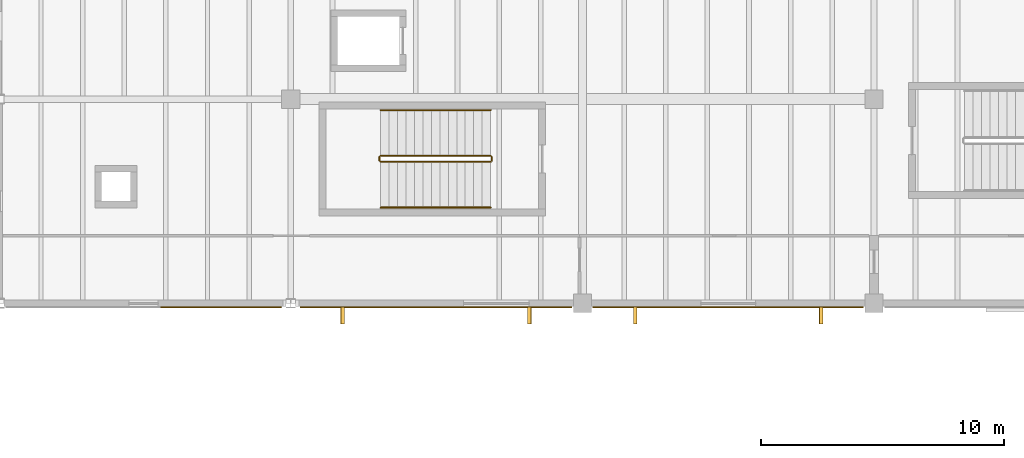
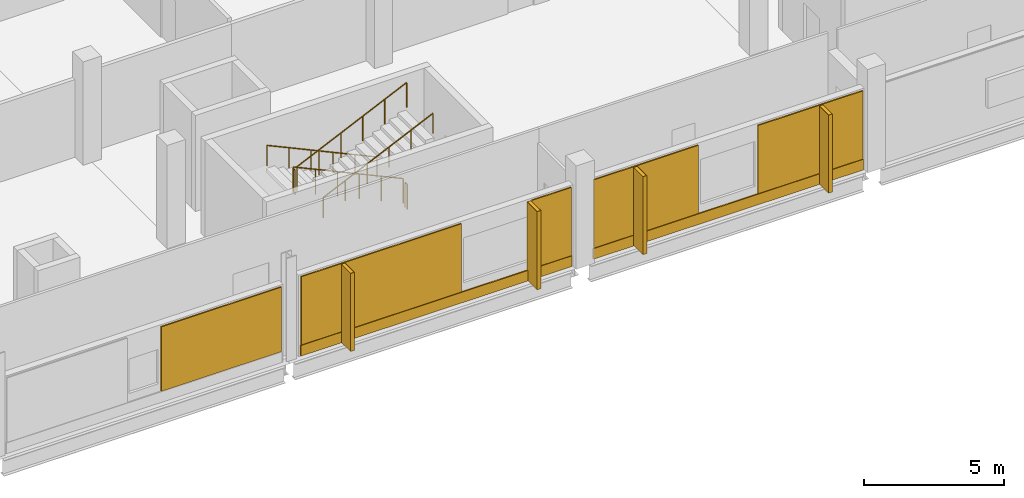
# One storey, part 74 of 78: 11 coverings, 6 railings, 4 shading devices.
"""IFC4 building model written with IfcOpenShell, lengths in metres."""

from ifc_helpers import new_model, si_unit, direction, frame, origin, origin_2d, place, context, subcontext, project, spatial, rectangle, circle, extrude, material, layer, layer_set, type_object, element, save


model = new_model("IFC4")

# Units and contexts
model_context = context("Model", 3, precision=1e-05, world=origin(), true_north=direction((0.0, 1.0)))
body_context = subcontext(model_context, "Body", "Model", "MODEL_VIEW")
ifc_project = project(units=[si_unit("LENGTHUNIT", "METRE"), si_unit("AREAUNIT", "SQUARE_METRE"), si_unit("VOLUMEUNIT", "CUBIC_METRE"), si_unit("PLANEANGLEUNIT", "RADIAN"), si_unit("MASSUNIT", "GRAM", prefix="KILO")], contexts=[model_context])

# Site, building, storey
site_placement = place(None, origin())
site = spatial("IfcSite", under=ifc_project, at=site_placement, CompositionType="ELEMENT")
building_placement = place(site_placement, origin())
building = spatial("IfcBuilding", under=site, at=building_placement, Name="Kelmvaro Bay Concert Hall", CompositionType="ELEMENT")
storey_placement = place(building_placement, frame((0.0, 0.0, 9.300048828125)))
storey = spatial("IfcBuildingStorey", under=building, at=storey_placement, Name="L02", CompositionType="ELEMENT", Elevation=9.300048828125)

# Shading devices
ifc_material_1 = material(Name="Anodised Extruded Aluminium 6063-T6", Category="aluminium")
ifc_layer_1 = layer(ifc_material_1, 3.39990234375)
ifc_layer_set_1 = layer_set([ifc_layer_1], Name="Anodised Extruded Aluminium 6063-T6")
shading_device_type = type_object("IfcShadingDeviceType", Name="Bauhaus Vertical Solar Brise-Soleil Fin 720x3400", PredefinedType="SHUTTER", material=ifc_layer_set_1)
for number, where, z_axis, x_axis, name in (
    (1, (141.81689453125, 15.10400390625, 0.06005859375), (0.0, 0.0, 1.0), (-1.0, 0.0, 0.0), "L02 Solar Brise-Soleil Fin 150"),
    (2, (134.133056640625, 15.10400390625, 0.06005859375), (0.0, 0.0, 1.0), (-1.0, 0.0, 0.0), "L02 Solar Brise-Soleil Fin 151"),
    (3, (153.824951171875, 15.10400390625, 0.06005859375), (0.0, 0.0, 1.0), (-1.0, 0.0, 0.0), "L02 Solar Brise-Soleil Fin 152"),
    (4, (146.175048828125, 15.10400390625, 0.06005859375), (0.0, 0.0, 1.0), (-1.0, 0.0, 0.0), "L02 Solar Brise-Soleil Fin 153"),
):
    element("IfcShadingDevice", number, at=place(storey_placement, frame(where, z_axis=z_axis, x_axis=x_axis)), inside=storey, type_object=shading_device_type, Name=name, PredefinedType="SHUTTER", context=body_context, shape_type="SweptSolid", body=[
        extrude(rectangle(XDim=0.159912109375, YDim=0.719970703125, at=origin_2d()), origin(), (0.0, 0.0, 1.0), 3.39990234375),
    ])

# Coverings
ifc_material_2 = material(Name="PVDF-Coated Architectural Aluminium", Category="aluminium")
ifc_layer_2 = layer(ifc_material_2, 0.0400390625)
ifc_layer_set_2 = layer_set([ifc_layer_2], Name="PVDF-Coated Architectural Aluminium")
covering_type_1 = type_object("IfcCoveringType", Name="De Stijl Enamelled Aluminium Fascia Panel 40", PredefinedType="CLADDING", material=ifc_layer_set_2)
for number, where, z_axis, x_axis, name in (
    (5, (141.81689453125, 15.10400390625, 0.06005859375), (0.0, 0.0, 1.0), (-1.0, 0.0, 0.0), "L02 Architectural Vertical Fin Cladding 0754"),
    (6, (134.133056640625, 15.10400390625, 0.06005859375), (0.0, 0.0, 1.0), (-1.0, 0.0, 0.0), "L02 Architectural Vertical Fin Cladding 0755"),
    (7, (153.824951171875, 15.10400390625, 0.06005859375), (0.0, 0.0, 1.0), (-1.0, 0.0, 0.0), "L02 Architectural Vertical Fin Cladding 0759"),
    (8, (146.175048828125, 15.10400390625, 0.06005859375), (0.0, 0.0, 1.0), (-1.0, 0.0, 0.0), "L02 Architectural Vertical Fin Cladding 0760"),
):
    element("IfcCovering", number, at=place(storey_placement, frame(where, z_axis=z_axis, x_axis=x_axis)), inside=storey, type_object=covering_type_1, Name=name, PredefinedType="CLADDING", context=body_context, shape_type="SweptSolid", body=[
        extrude(rectangle(XDim=0.139892578125, YDim=0.699951171875, at=origin_2d()), origin(), (0.0, 0.0, 1.0), 3.39990234375),
    ])
ifc_material_3 = material(Name="Honed Florida Limestone Travertine", Category="masonry")
ifc_layer_3 = layer(ifc_material_3, 0.054931640625)
ifc_layer_set_3 = layer_set([ifc_layer_3], Name="Honed Florida Limestone Travertine")
covering_type_2 = type_object("IfcCoveringType", Name="Honed Florida Travertine Rainscreen Cladding 55", PredefinedType="CLADDING", material=ifc_layer_set_3)
covering_1_placement = place(storey_placement, frame((129.116455078125, 15.4345703125, 0.52001953125), z_axis=(0.0, 0.0, 1.0), x_axis=(-1.0, 0.0, 0.0)))
element("IfcCovering", 9, at=covering_1_placement, inside=storey, type_object=covering_type_2, Name="L02 Travertine Pier Panel 0751", PredefinedType="CLADDING", context=body_context, shape_type="SweptSolid", body=[
    extrude(rectangle(XDim=4.95703125, YDim=0.054931640625, at=origin_2d()), origin(), (0.0, 0.0, 1.0), 2.80810546875),
])
covering_2_placement = place(storey_placement, frame((137.97509765625, 15.4345703125, 0.0400390625), z_axis=(0.0, 0.0, 1.0), x_axis=(-1.0, 0.0, 0.0)))
element("IfcCovering", 10, at=covering_2_placement, inside=storey, type_object=covering_type_2, Name="L02 Travertine Sill Band 0753", PredefinedType="CLADDING", context=body_context, shape_type="SweptSolid", body=[
    extrude(rectangle(XDim=11.179931640625, YDim=0.054931640625, at=origin_2d()), origin(), (0.0, 0.0, 1.0), 0.4599609375),
])
covering_3_placement = place(storey_placement, frame((142.72802734375, 15.4345703125, 0.52001953125), z_axis=(0.0, 0.0, 1.0), x_axis=(-1.0, 0.0, 0.0)))
element("IfcCovering", 11, at=covering_3_placement, inside=storey, type_object=covering_type_2, Name="L02 Travertine Pier Panel 0756", PredefinedType="CLADDING", context=body_context, shape_type="SweptSolid", body=[
    extrude(rectangle(XDim=1.634033203125, YDim=0.054931640625, at=origin_2d()), origin(), (0.0, 0.0, 1.0), 2.968994140625),
])
covering_4_placement = place(storey_placement, frame((135.7080078125, 15.4345703125, 0.52001953125), z_axis=(0.0, 0.0, 1.0), x_axis=(-1.0, 0.0, 0.0)))
element("IfcCovering", 12, at=covering_4_placement, inside=storey, type_object=covering_type_2, Name="L02 Travertine Pier Panel 0757", PredefinedType="CLADDING", context=body_context, shape_type="SweptSolid", body=[
    extrude(rectangle(XDim=6.60595703125, YDim=0.054931640625, at=origin_2d()), origin(), (0.0, 0.0, 1.0), 2.968994140625),
])
covering_5_placement = place(storey_placement, frame((150.0, 15.4345703125, 0.0400390625), z_axis=(0.0, 0.0, 1.0), x_axis=(-1.0, 0.0, 0.0)))
element("IfcCovering", 13, at=covering_5_placement, inside=storey, type_object=covering_type_2, Name="L02 Travertine Sill Band 0758", PredefinedType="CLADDING", context=body_context, shape_type="SweptSolid", body=[
    extrude(rectangle(XDim=11.1298828125, YDim=0.054931640625, at=origin_2d()), origin(), (0.0, 0.0, 1.0), 0.4599609375),
])
for number, where, z_axis, x_axis, name in (
    (14, (153.385009765625, 15.4345703125, 0.52001953125), (0.0, 0.0, 1.0), (-1.0, 0.0, 0.0), "L02 Travertine Pier Panel 0761"),
    (15, (146.614990234375, 15.4345703125, 0.52001953125), (0.0, 0.0, 1.0), (-1.0, 0.0, 0.0), "L02 Travertine Pier Panel 0762"),
):
    element("IfcCovering", number, at=place(storey_placement, frame(where, z_axis=z_axis, x_axis=x_axis)), inside=storey, type_object=covering_type_2, Name=name, PredefinedType="CLADDING", context=body_context, shape_type="SweptSolid", body=[
        extrude(rectangle(XDim=4.320068359375, YDim=0.054931640625, at=origin_2d()), origin(), (0.0, 0.0, 1.0), 2.968994140625),
    ])

# Railings
ifc_material_4 = material(Name="Brushed Stainless Steel 316", Category="steel")
railing_type_1 = type_object("IfcRailingType", Name="Stair Stainless Wall Handrail 900", PredefinedType="HANDRAIL", material=ifc_material_4)
railing_1_placement = place(storey_placement, frame((140.219970703125, 23.550048828125, 0.16064453125)))
element("IfcRailing", 16, at=railing_1_placement, inside=storey, type_object=railing_type_1, Name="L02 ST-05 stair handrail 1", PredefinedType="HANDRAIL", context=body_context, shape_type="SweptSolid", body=[
    extrude(circle(Radius=0.02392578125, at=origin_2d()), frame((0.0, 0.0, 0.8759765625), z_axis=(-0.907853242209, 0.0, 0.419288075922), x_axis=(0.0, -1.0, 0.0)), (0.0, 0.0, 1.0), 4.983154296875),
    extrude(circle(Radius=0.02099609375, at=origin_2d()), origin(), (0.0, 0.0, 1.0), 0.851806640625),
    extrude(circle(Radius=0.02099609375, at=origin_2d()), frame((-0.90478515625, 0.0, 0.41796875)), (0.0, 0.0, 1.0), 0.851806640625),
    extrude(circle(Radius=0.02099609375, at=origin_2d()), frame((-1.8095703125, 0.0, 0.835693359375)), (0.0, 0.0, 1.0), 0.851806640625),
    extrude(circle(Radius=0.02099609375, at=origin_2d()), frame((-2.71435546875, 0.0, 1.253662109375)), (0.0, 0.0, 1.0), 0.851806640625),
    extrude(circle(Radius=0.02099609375, at=origin_2d()), frame((-3.619140625, 0.0, 1.67138671875)), (0.0, 0.0, 1.0), 0.851806640625),
    extrude(circle(Radius=0.02099609375, at=origin_2d()), frame((-4.52392578125, 0.0, 2.08935546875)), (0.0, 0.0, 1.0), 0.851806640625),
])
railing_2_placement = place(storey_placement, frame((135.696044921875, 19.5400390625, 2.41064453125)))
element("IfcRailing", 17, at=railing_2_placement, inside=storey, type_object=railing_type_1, Name="L02 ST-05 stair handrail 2", PredefinedType="HANDRAIL", context=body_context, shape_type="SweptSolid", body=[
    extrude(circle(Radius=0.02392578125, at=origin_2d()), frame((0.0, 0.0, 0.8759765625), z_axis=(0.907853242209, 0.0, 0.419288075922), x_axis=(0.0, 1.0, 0.0)), (0.0, 0.0, 1.0), 4.983154296875),
    extrude(circle(Radius=0.02099609375, at=origin_2d()), origin(), (0.0, 0.0, 1.0), 0.851806640625),
    extrude(circle(Radius=0.02099609375, at=origin_2d()), frame((0.90478515625, 0.0, 0.41796875)), (0.0, 0.0, 1.0), 0.851806640625),
    extrude(circle(Radius=0.02099609375, at=origin_2d()), frame((1.8095703125, 0.0, 0.835693359375)), (0.0, 0.0, 1.0), 0.851806640625),
    extrude(circle(Radius=0.02099609375, at=origin_2d()), frame((2.71435546875, 0.0, 1.253662109375)), (0.0, 0.0, 1.0), 0.851806640625),
    extrude(circle(Radius=0.02099609375, at=origin_2d()), frame((3.619140625, 0.0, 1.67138671875)), (0.0, 0.0, 1.0), 0.851806640625),
    extrude(circle(Radius=0.02099609375, at=origin_2d()), frame((4.52392578125, 0.0, 2.08935546875)), (0.0, 0.0, 1.0), 0.851806640625),
])
ifc_material_5 = material(Name="Powder-Coated Steel ASTM A500", Category="steel")
railing_type_2 = type_object("IfcRailingType", Name="Stair Well Painted Steel Guard 1100", PredefinedType="BALUSTRADE", material=ifc_material_5)
railing_3_placement = place(storey_placement, frame((140.219970703125, 21.669921875, 0.16064453125)))
element("IfcRailing", 18, at=railing_3_placement, inside=storey, type_object=railing_type_2, Name="L02 ST-05 stair guard 1", PredefinedType="BALUSTRADE", context=body_context, shape_type="SweptSolid", body=[
    extrude(circle(Radius=0.02392578125, at=origin_2d()), frame((0.0, 0.0, 1.076171875), z_axis=(-0.907853242209, 0.0, 0.419288075922), x_axis=(0.0, -1.0, 0.0)), (0.0, 0.0, 1.0), 4.983154296875),
    extrude(circle(Radius=0.02099609375, at=origin_2d()), origin(), (0.0, 0.0, 1.0), 1.052001953125),
    extrude(circle(Radius=0.02099609375, at=origin_2d()), frame((-0.90478515625, 0.0, 0.41796875)), (0.0, 0.0, 1.0), 1.052001953125),
    extrude(circle(Radius=0.02099609375, at=origin_2d()), frame((-1.8095703125, 0.0, 0.835693359375)), (0.0, 0.0, 1.0), 1.052001953125),
    extrude(circle(Radius=0.02099609375, at=origin_2d()), frame((-2.71435546875, 0.0, 1.253662109375)), (0.0, 0.0, 1.0), 1.052001953125),
    extrude(circle(Radius=0.02099609375, at=origin_2d()), frame((-3.619140625, 0.0, 1.67138671875)), (0.0, 0.0, 1.0), 1.052001953125),
    extrude(circle(Radius=0.02099609375, at=origin_2d()), frame((-4.52392578125, 0.0, 2.08935546875)), (0.0, 0.0, 1.0), 1.052001953125),
])
railing_4_placement = place(storey_placement, frame((135.64599609375, 21.6201171875, 2.25)))
element("IfcRailing", 19, at=railing_4_placement, inside=storey, type_object=railing_type_2, Name="L02 ST-05 stair guard 2", PredefinedType="BALUSTRADE", context=body_context, shape_type="SweptSolid", body=[
    extrude(circle(Radius=0.02392578125, at=origin_2d()), frame((0.0, 0.0, 1.076171875), z_axis=(0.0, -1.0, 0.0), x_axis=(1.0, 0.0, 0.0)), (0.0, 0.0, 1.0), 0.150146484375),
    extrude(circle(Radius=0.02099609375, at=origin_2d()), origin(), (0.0, 0.0, 1.0), 1.052001953125),
    extrude(circle(Radius=0.02099609375, at=origin_2d()), frame((0.0, -0.150146484375, 0.0)), (0.0, 0.0, 1.0), 1.052001953125),
])
railing_5_placement = place(storey_placement, frame((135.696044921875, 21.419921875, 2.41064453125)))
element("IfcRailing", 20, at=railing_5_placement, inside=storey, type_object=railing_type_2, Name="L02 ST-05 stair guard 3", PredefinedType="BALUSTRADE", context=body_context, shape_type="SweptSolid", body=[
    extrude(circle(Radius=0.02392578125, at=origin_2d()), frame((0.0, 0.0, 1.076171875), z_axis=(0.907853242209, 0.0, 0.419288075922), x_axis=(0.0, 1.0, 0.0)), (0.0, 0.0, 1.0), 4.983154296875),
    extrude(circle(Radius=0.02099609375, at=origin_2d()), origin(), (0.0, 0.0, 1.0), 1.052001953125),
    extrude(circle(Radius=0.02099609375, at=origin_2d()), frame((0.90478515625, 0.0, 0.41796875)), (0.0, 0.0, 1.0), 1.052001953125),
    extrude(circle(Radius=0.02099609375, at=origin_2d()), frame((1.8095703125, 0.0, 0.835693359375)), (0.0, 0.0, 1.0), 1.052001953125),
    extrude(circle(Radius=0.02099609375, at=origin_2d()), frame((2.71435546875, 0.0, 1.253662109375)), (0.0, 0.0, 1.0), 1.052001953125),
    extrude(circle(Radius=0.02099609375, at=origin_2d()), frame((3.619140625, 0.0, 1.67138671875)), (0.0, 0.0, 1.0), 1.052001953125),
    extrude(circle(Radius=0.02099609375, at=origin_2d()), frame((4.52392578125, 0.0, 2.08935546875)), (0.0, 0.0, 1.0), 1.052001953125),
])
railing_6_placement = place(storey_placement, frame((140.27001953125, 21.6201171875, 0.0)))
element("IfcRailing", 21, at=railing_6_placement, inside=storey, type_object=railing_type_2, Name="L02 ST-05 stair guard 4", PredefinedType="BALUSTRADE", context=body_context, shape_type="SweptSolid", body=[
    extrude(circle(Radius=0.02392578125, at=origin_2d()), frame((0.0, 0.0, 1.076171875), z_axis=(0.0, -1.0, 0.0), x_axis=(1.0, 0.0, 0.0)), (0.0, 0.0, 1.0), 0.150146484375),
    extrude(circle(Radius=0.02099609375, at=origin_2d()), origin(), (0.0, 0.0, 1.0), 1.052001953125),
    extrude(circle(Radius=0.02099609375, at=origin_2d()), frame((0.0, -0.150146484375, 0.0)), (0.0, 0.0, 1.0), 1.052001953125),
])

save(model, "model.ifc")
